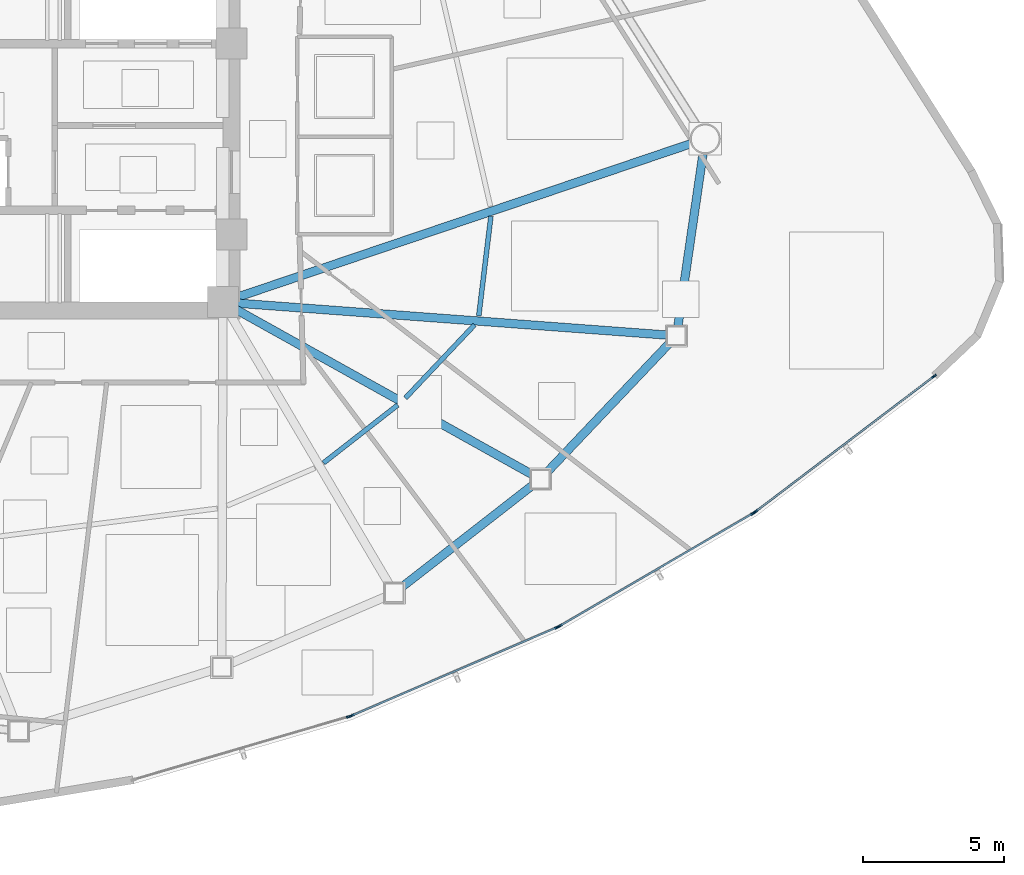
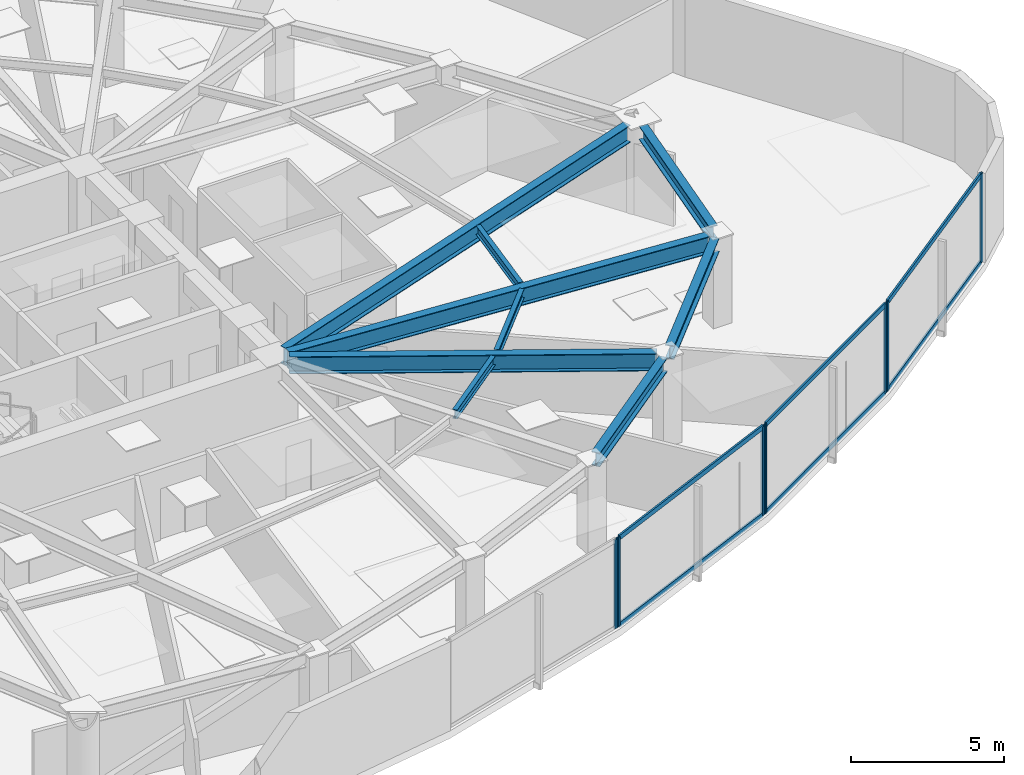
# One storey, part 5 of 17: 13 members, 9 beams, 4 elements without a shape of their own.
"""IFC4 building model written with IfcOpenShell, lengths in metres."""

from ifc_helpers import new_model, si_unit, direction, frame, origin, origin_2d, place, context, subcontext, project, spatial, hollow_rectangle, i_section, extrude, source, transform, mapped, material, layer, layer_set, material_profile, profile_set, type_object, type_shapes, element, aggregate, save


model = new_model("IFC4")

# Units and contexts
model_context = context("Model", 3, precision=1e-05, world=origin(), true_north=direction((0.0, 1.0)))
body_context = subcontext(model_context, "Body", "Model", "MODEL_VIEW")
ifc_project = project(units=[si_unit("LENGTHUNIT", "METRE"), si_unit("AREAUNIT", "SQUARE_METRE"), si_unit("VOLUMEUNIT", "CUBIC_METRE"), si_unit("PLANEANGLEUNIT", "RADIAN"), si_unit("MASSUNIT", "GRAM", prefix="KILO")], contexts=[model_context])

# Site, building, storey
site_placement = place(None, origin())
site = spatial("IfcSite", under=ifc_project, at=site_placement, CompositionType="ELEMENT")
building_placement = place(site_placement, origin())
building = spatial("IfcBuilding", under=site, at=building_placement, Name="Tavelor Broadcast Tower", CompositionType="ELEMENT")
storey_placement = place(building_placement, frame((0.0, 0.0, 115.60009765625)))
storey = spatial("IfcBuildingStorey", under=building, at=storey_placement, Name="L26", CompositionType="ELEMENT", Elevation=115.60009765625)

# Beams
ifc_material_1 = material(Name="Steel S355", Category="steel")
ifc_material_profile_1 = material_profile(ifc_material_1, i_section(OverallWidth=0.169921875, OverallDepth=0.360107421875, WebThickness=0.008056640625, FlangeThickness=0.0126953125, at=origin_2d()), Name="IPE 360")
ifc_profile_set_1 = profile_set([ifc_material_profile_1], Name="Steel S355")
beam_type_1 = type_object("IfcBeamType", Name="Composite Floor Joist T3 IPE 360", PredefinedType="JOIST", material=ifc_profile_set_1)
beam_1_placement = place(storey_placement, frame((60.163818359375, 33.107177734375, 3.369873046875), z_axis=(0.788471752191, 0.615070968261, 0.0), x_axis=(-0.615070968261, 0.788471752191, 0.0)))
element("IfcBeam", 1, at=beam_1_placement, inside=storey, type_object=beam_type_1, Name="L26 Secondary Composite Floor Joist 10", PredefinedType="JOIST", context=body_context, shape_type="SweptSolid", body=[
    extrude(i_section(OverallWidth=0.169921875, OverallDepth=0.360107421875, WebThickness=0.008056640625, FlangeThickness=0.0126953125, at=origin_2d()), origin(), (0.0, 0.0, 1.0), 3.33251953125),
])
beam_2_placement = place(storey_placement, frame((63.05859375, 35.39990234375, 3.369873046875), z_axis=(0.686806065531, 0.726840717317, 0.0), x_axis=(-0.726840717317, 0.686806065531, 0.0)))
element("IfcBeam", 2, at=beam_2_placement, inside=storey, type_object=beam_type_1, Name="L26 Secondary Composite Floor Joist 11", PredefinedType="JOIST", context=body_context, shape_type="SweptSolid", body=[
    extrude(i_section(OverallWidth=0.169921875, OverallDepth=0.360107421875, WebThickness=0.008056640625, FlangeThickness=0.0126953125, at=origin_2d()), origin(), (0.0, 0.0, 1.0), 3.573486328125),
])
beam_3_placement = place(storey_placement, frame((65.6591796875, 38.30859375, 3.369873046875), z_axis=(0.120874566199, 0.992667788964, 0.0), x_axis=(-0.992667788964, 0.120874566199, 0.0)))
element("IfcBeam", 3, at=beam_3_placement, inside=storey, type_object=beam_type_1, Name="L26 Secondary Composite Floor Joist 12", PredefinedType="JOIST", context=body_context, shape_type="SweptSolid", body=[
    extrude(i_section(OverallWidth=0.169921875, OverallDepth=0.360107421875, WebThickness=0.008056640625, FlangeThickness=0.0126953125, at=origin_2d()), origin(), (0.0, 0.0, 1.0), 3.556884765625),
])
ifc_material_profile_2 = material_profile(ifc_material_1, i_section(OverallWidth=0.300048828125, OverallDepth=0.550048828125, WebThickness=0.014892578125, FlangeThickness=0.029052734375, at=origin_2d()), Name="HEB 550")
ifc_profile_set_2 = profile_set([ifc_material_profile_2], Name="Steel S355")
beam_type_2 = type_object("IfcBeamType", Name="Perimeter Spandrel Beam T3 HEB 550", PredefinedType="SPANDREL", material=ifc_profile_set_2)
beam_4_placement = place(storey_placement, frame((62.934326171875, 28.709716796875, 3.27490234375), z_axis=(0.788970059341, 0.614431644257, 0.0), x_axis=(-0.614431644257, 0.788970059341, 0.0)))
element("IfcBeam", 4, at=beam_4_placement, inside=storey, type_object=beam_type_2, Name="L26 Framed-Tube Ring Spandrel 10", PredefinedType="SPANDREL", context=body_context, shape_type="SweptSolid", body=[
    extrude(i_section(OverallWidth=0.300048828125, OverallDepth=0.550048828125, WebThickness=0.014892578125, FlangeThickness=0.029052734375, at=origin_2d()), origin(), (0.0, 0.0, 1.0), 5.884765625),
])
beam_5_placement = place(storey_placement, frame((68.073486328125, 32.775390625, 3.27490234375), z_axis=(0.688378130541, 0.72535201757, 0.0), x_axis=(-0.72535201757, 0.688378130541, 0.0)))
element("IfcBeam", 5, at=beam_5_placement, inside=storey, type_object=beam_type_2, Name="L26 Framed-Tube Ring Spandrel 11", PredefinedType="SPANDREL", context=body_context, shape_type="SweptSolid", body=[
    extrude(i_section(OverallWidth=0.300048828125, OverallDepth=0.550048828125, WebThickness=0.014892578125, FlangeThickness=0.029052734375, at=origin_2d()), origin(), (0.0, 0.0, 1.0), 6.32568359375),
])
beam_6_placement = place(storey_placement, frame((72.707763671875, 37.93994140625, 3.27490234375), z_axis=(0.144294035731, 0.989534856007, 0.0), x_axis=(-0.989534856007, 0.144294035731, 0.0)))
element("IfcBeam", 6, at=beam_6_placement, inside=storey, type_object=beam_type_2, Name="L26 Framed-Tube Ring Spandrel 12", PredefinedType="SPANDREL", context=body_context, shape_type="SweptSolid", body=[
    extrude(i_section(OverallWidth=0.300048828125, OverallDepth=0.550048828125, WebThickness=0.014892578125, FlangeThickness=0.029052734375, at=origin_2d()), origin(), (0.0, 0.0, 1.0), 6.19775390625),
])
ifc_material_profile_3 = material_profile(ifc_material_1, i_section(OverallWidth=0.300048828125, OverallDepth=0.68994140625, WebThickness=0.014404296875, FlangeThickness=0.027099609375, at=origin_2d()), Name="HEA 700")
ifc_profile_set_3 = profile_set([ifc_material_profile_3], Name="Steel S355")
beam_type_3 = type_object("IfcBeamType", Name="Radial Floor Girder T3 HEA 700", PredefinedType="BEAM", material=ifc_profile_set_3)
beam_7_placement = place(storey_placement, frame((57.061279296875, 38.54296875, 3.204833984375), z_axis=(0.873405286678, -0.486994050481, 0.0), x_axis=(0.486994050481, 0.873405286678, 0.0)))
element("IfcBeam", 7, at=beam_7_placement, inside=storey, type_object=beam_type_3, Name="L26 Radial Primary Floor Girder 11", PredefinedType="BEAM", context=body_context, shape_type="SweptSolid", body=[
    extrude(i_section(OverallWidth=0.300048828125, OverallDepth=0.68994140625, WebThickness=0.014404296875, FlangeThickness=0.027099609375, at=origin_2d()), origin(), (0.0, 0.0, 1.0), 12.007568359375),
])
beam_8_placement = place(storey_placement, frame((57.126708984375, 38.760986328125, 3.204833984375), z_axis=(0.997253617312, -0.074062289721, 0.0), x_axis=(0.074062289721, 0.997253617312, 0.0)))
element("IfcBeam", 8, at=beam_8_placement, inside=storey, type_object=beam_type_3, Name="L26 Radial Primary Floor Girder 12", PredefinedType="BEAM", context=body_context, shape_type="SweptSolid", body=[
    extrude(i_section(OverallWidth=0.300048828125, OverallDepth=0.68994140625, WebThickness=0.014404296875, FlangeThickness=0.027099609375, at=origin_2d()), origin(), (0.0, 0.0, 1.0), 15.2392578125),
])
beam_9_placement = place(storey_placement, frame((57.10009765625, 38.96923828125, 3.204833984375), z_axis=(0.947217379582, 0.32059200835, 0.0), x_axis=(-0.32059200835, 0.947217379582, 0.0)))
element("IfcBeam", 9, at=beam_9_placement, inside=storey, type_object=beam_type_3, Name="L26 Radial Primary Floor Girder 13", PredefinedType="BEAM", context=body_context, shape_type="SweptSolid", body=[
    extrude(i_section(OverallWidth=0.300048828125, OverallDepth=0.68994140625, WebThickness=0.014404296875, FlangeThickness=0.027099609375, at=origin_2d()), origin(), (0.0, 0.0, 1.0), 16.987548828125),
])

# Curtain wall, member
ifc_material_2 = material(Name="Architectural Anodized Aluminium", Category="aluminium")
ifc_layer = layer(ifc_material_2, 0.18994140625)
ifc_layer_set = layer_set([ifc_layer], Name="Architectural Anodized Aluminium")
curtain_wall_type = type_object("IfcCurtainWallType", Name="Tower Mid-Zone Acoustic Curtain Wall CW03", PredefinedType="NOTDEFINED", material=ifc_layer_set)
curtain_wall_1_placement = place(storey_placement, origin())
curtain_wall_1 = element("IfcCurtainWall", 10, at=curtain_wall_1_placement, inside=storey, type_object=curtain_wall_type, Name="L26 Curtain Wall CW03 Run 257", PredefinedType="NOTDEFINED")
ifc_material_profile_4 = material_profile(ifc_material_2, hollow_rectangle(XDim=0.068115234375, YDim=0.18994140625, WallThickness=0.02197265625, at=origin_2d()), Name="RHS 68x190x22")
ifc_profile_set_4 = profile_set([ifc_material_profile_4], Name="Architectural Anodized Aluminium")
member_type_1 = type_object("IfcMemberType", Name="CW03 Extruded Aluminium Mullion 68x190", PredefinedType="MULLION", material=ifc_profile_set_4)
shared_shape_1 = source(origin(), body_context, "Body", "SweptSolid", [
    extrude(hollow_rectangle(XDim=0.068115234375, YDim=0.18994140625, WallThickness=0.02197265625, at=origin_2d()), origin(), (0.0, 0.0, 1.0), 3.5498046875),
])
type_shapes(member_type_1, [shared_shape_1])
member_1_placement = place(storey_placement, frame((61.0634765625, 24.12451171875, 0.0), z_axis=(0.0, 0.0, 1.0), x_axis=(-0.281081429324, 0.959683921971, 0.0)))
member_1 = element("IfcMember", 11, at=member_1_placement, type_object=member_type_1, Name="CW03 mullion 2", PredefinedType="MULLION", context=body_context, shape_type="MappedRepresentation", body=[
    mapped(shared_shape_1, transform((0.0, 0.0, 0.0), scale=1.0)),
])
aggregate(curtain_wall_1, [member_1])

# Curtain wall, members
curtain_wall_2_placement = place(storey_placement, origin())
curtain_wall_2 = element("IfcCurtainWall", 12, at=curtain_wall_2_placement, inside=storey, type_object=curtain_wall_type, Name="L26 Curtain Wall CW03 Run 258", PredefinedType="NOTDEFINED")
member_2_placement = place(storey_placement, frame((61.155517578125, 24.15771484375, 0.0), z_axis=(0.0, 0.0, 1.0), x_axis=(-0.395148358403, 0.918617316869, 0.0)))
member_2 = element("IfcMember", 13, at=member_2_placement, type_object=member_type_1, Name="CW03 mullion 1", PredefinedType="MULLION", context=body_context, shape_type="MappedRepresentation", body=[
    mapped(shared_shape_1, transform((0.0, 0.0, 0.0), scale=1.0)),
])
member_3_placement = place(storey_placement, frame((68.433837890625, 27.28857421875, 0.0), z_axis=(0.0, 0.0, 1.0), x_axis=(-0.395148358403, 0.918617316869, 0.0)))
member_3 = element("IfcMember", 14, at=member_3_placement, type_object=member_type_1, Name="CW03 mullion 2", PredefinedType="MULLION", context=body_context, shape_type="MappedRepresentation", body=[
    mapped(shared_shape_1, transform((0.0, 0.0, 0.0), scale=1.0)),
])

curtain_wall_3_placement = place(storey_placement, origin())
curtain_wall_3 = element("IfcCurtainWall", 15, at=curtain_wall_3_placement, inside=storey, type_object=curtain_wall_type, Name="L26 Curtain Wall CW03 Run 259", PredefinedType="NOTDEFINED")
member_4_placement = place(storey_placement, frame((68.52099609375, 27.33251953125, 0.0), z_axis=(0.0, 0.0, 1.0), x_axis=(-0.503405660437, 0.864050195903, 0.0)))
member_4 = element("IfcMember", 16, at=member_4_placement, type_object=member_type_1, Name="CW03 mullion 1", PredefinedType="MULLION", context=body_context, shape_type="MappedRepresentation", body=[
    mapped(shared_shape_1, transform((0.0, 0.0, 0.0), scale=1.0)),
])
member_5_placement = place(storey_placement, frame((75.366943359375, 31.321044921875, 0.0), z_axis=(0.0, 0.0, 1.0), x_axis=(-0.503405660437, 0.864050195903, 0.0)))
member_5 = element("IfcMember", 17, at=member_5_placement, type_object=member_type_1, Name="CW03 mullion 2", PredefinedType="MULLION", context=body_context, shape_type="MappedRepresentation", body=[
    mapped(shared_shape_1, transform((0.0, 0.0, 0.0), scale=1.0)),
])

curtain_wall_4_placement = place(storey_placement, origin())
curtain_wall_4 = element("IfcCurtainWall", 18, at=curtain_wall_4_placement, inside=storey, type_object=curtain_wall_type, Name="L26 Curtain Wall CW03 Run 260", PredefinedType="NOTDEFINED")
member_6_placement = place(storey_placement, frame((75.4482421875, 31.375244140625, 0.0), z_axis=(0.0, 0.0, 1.0), x_axis=(-0.604261825113, 0.796785822358, 0.0)))
member_6 = element("IfcMember", 19, at=member_6_placement, type_object=member_type_1, Name="CW03 mullion 1", PredefinedType="MULLION", context=body_context, shape_type="MappedRepresentation", body=[
    mapped(shared_shape_1, transform((0.0, 0.0, 0.0), scale=1.0)),
])
member_7_placement = place(storey_placement, frame((81.77392578125, 36.17236328125, 0.0), z_axis=(0.0, 0.0, 1.0), x_axis=(-0.604261825113, 0.796785822358, 0.0)))
member_7 = element("IfcMember", 20, at=member_7_placement, type_object=member_type_1, Name="CW03 mullion 2", PredefinedType="MULLION", context=body_context, shape_type="MappedRepresentation", body=[
    mapped(shared_shape_1, transform((0.0, 0.0, 0.0), scale=1.0)),
])

# Member
ifc_material_profile_5 = material_profile(ifc_material_2, hollow_rectangle(XDim=0.068115234375, YDim=0.18994140625, WallThickness=0.02197265625, at=origin_2d()), Name="RHS 68x190x22")
ifc_profile_set_5 = profile_set([ifc_material_profile_5], Name="Architectural Anodized Aluminium")
member_type_2 = type_object("IfcMemberType", Name="CW03 Extruded Aluminium Transom 68x190", PredefinedType="USERDEFINED", material=ifc_profile_set_5)
shared_shape_2 = source(origin(), body_context, "Body", "SweptSolid", [
    extrude(hollow_rectangle(XDim=0.068115234375, YDim=0.18994140625, WallThickness=0.02197265625, at=origin_2d()), origin(), (0.0, 0.0, 1.0), 7.855224609375),
])
member_8_placement = place(storey_placement, frame((61.186767578125, 24.171142578125, 0.033935546875), z_axis=(0.918613685399, 0.39515680052, 0.0), x_axis=(-0.39515680052, 0.918613685399, 0.0)))
member_8 = element("IfcMember", 21, at=member_8_placement, type_object=member_type_2, Name="CW03 transom 1.1", ObjectType="TRANSOM", PredefinedType="USERDEFINED", context=body_context, shape_type="MappedRepresentation", body=[
    mapped(shared_shape_2, transform((0.0, 0.0, 0.0), scale=1.0)),
])

member_9_placement = place(storey_placement, frame((61.186767578125, 24.171142578125, 3.515869140625), z_axis=(0.918613685399, 0.39515680052, 0.0), x_axis=(-0.39515680052, 0.918613685399, 0.0)))
member_9 = element("IfcMember", 22, at=member_9_placement, type_object=member_type_2, Name="CW03 transom 1.2", ObjectType="TRANSOM", PredefinedType="USERDEFINED", context=body_context, shape_type="MappedRepresentation", body=[
    mapped(shared_shape_2, transform((0.0, 0.0, 0.0), scale=1.0)),
])

aggregate(curtain_wall_2, [member_2, member_3, member_8, member_9])

shared_shape_3 = source(origin(), body_context, "Body", "SweptSolid", [
    extrude(hollow_rectangle(XDim=0.068115234375, YDim=0.18994140625, WallThickness=0.02197265625, at=origin_2d()), origin(), (0.0, 0.0, 1.0), 7.85498046875),
])
member_10_placement = place(storey_placement, frame((68.550537109375, 27.349609375, 0.033935546875), z_axis=(0.864044818827, 0.503414889588, 0.0), x_axis=(-0.503414889588, 0.864044818827, 0.0)))
member_10 = element("IfcMember", 23, at=member_10_placement, type_object=member_type_2, Name="CW03 transom 1.1", ObjectType="TRANSOM", PredefinedType="USERDEFINED", context=body_context, shape_type="MappedRepresentation", body=[
    mapped(shared_shape_3, transform((0.0, 0.0, 0.0), scale=1.0)),
])

member_11_placement = place(storey_placement, frame((68.550537109375, 27.349609375, 3.515869140625), z_axis=(0.864044818827, 0.503414889588, 0.0), x_axis=(-0.503414889588, 0.864044818827, 0.0)))
member_11 = element("IfcMember", 24, at=member_11_placement, type_object=member_type_2, Name="CW03 transom 1.2", ObjectType="TRANSOM", PredefinedType="USERDEFINED", context=body_context, shape_type="MappedRepresentation", body=[
    mapped(shared_shape_3, transform((0.0, 0.0, 0.0), scale=1.0)),
])

aggregate(curtain_wall_3, [member_4, member_5, member_10, member_11])

shared_shape_4 = source(origin(), body_context, "Body", "SweptSolid", [
    extrude(hollow_rectangle(XDim=0.068115234375, YDim=0.18994140625, WallThickness=0.02197265625, at=origin_2d()), origin(), (0.0, 0.0, 1.0), 7.870849609375),
])
type_shapes(member_type_2, [shared_shape_2, shared_shape_3, shared_shape_4])
member_12_placement = place(storey_placement, frame((75.475341796875, 31.39599609375, 0.033935546875), z_axis=(0.796802502522, 0.604239829848, 0.0), x_axis=(-0.604239829848, 0.796802502522, 0.0)))
member_12 = element("IfcMember", 25, at=member_12_placement, type_object=member_type_2, Name="CW03 transom 1.1", ObjectType="TRANSOM", PredefinedType="USERDEFINED", context=body_context, shape_type="MappedRepresentation", body=[
    mapped(shared_shape_4, transform((0.0, 0.0, 0.0), scale=1.0)),
])

member_13_placement = place(storey_placement, frame((75.475341796875, 31.39599609375, 3.515869140625), z_axis=(0.796802502522, 0.604239829848, 0.0), x_axis=(-0.604239829848, 0.796802502522, 0.0)))
member_13 = element("IfcMember", 26, at=member_13_placement, type_object=member_type_2, Name="CW03 transom 1.2", ObjectType="TRANSOM", PredefinedType="USERDEFINED", context=body_context, shape_type="MappedRepresentation", body=[
    mapped(shared_shape_4, transform((0.0, 0.0, 0.0), scale=1.0)),
])

aggregate(curtain_wall_4, [member_6, member_7, member_12, member_13])

save(model, "model.ifc")
